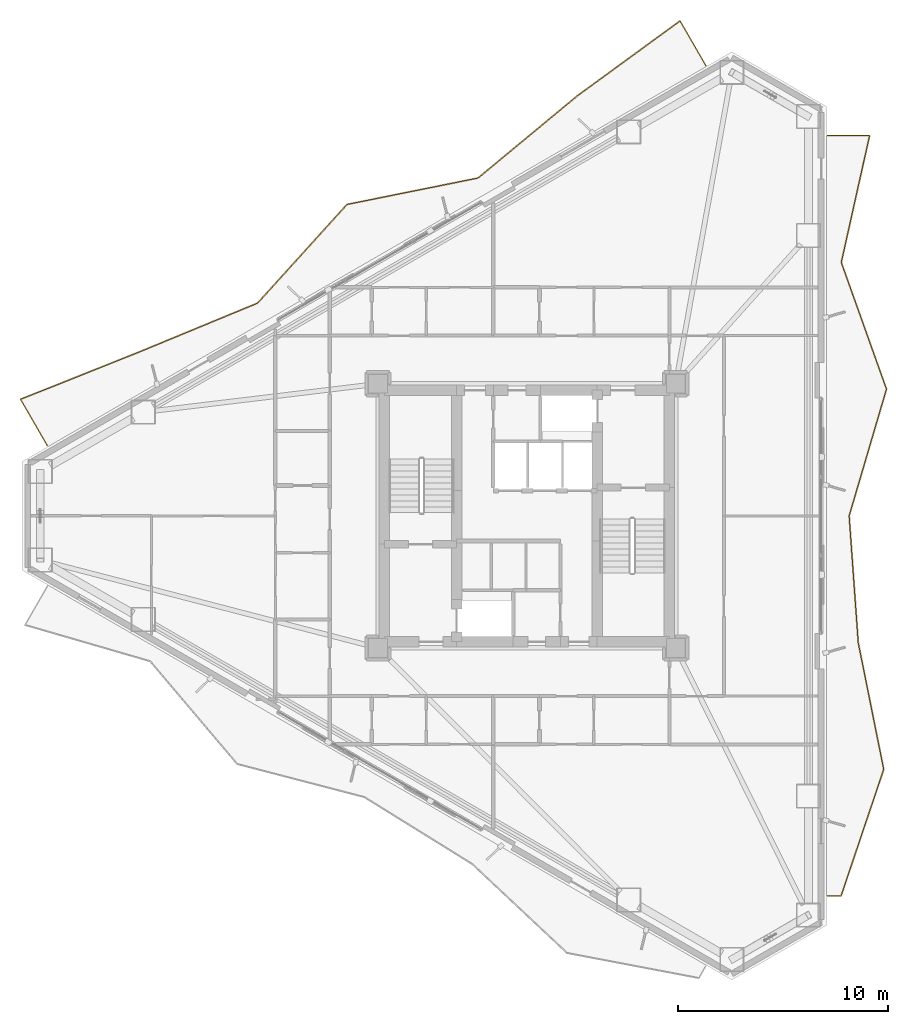
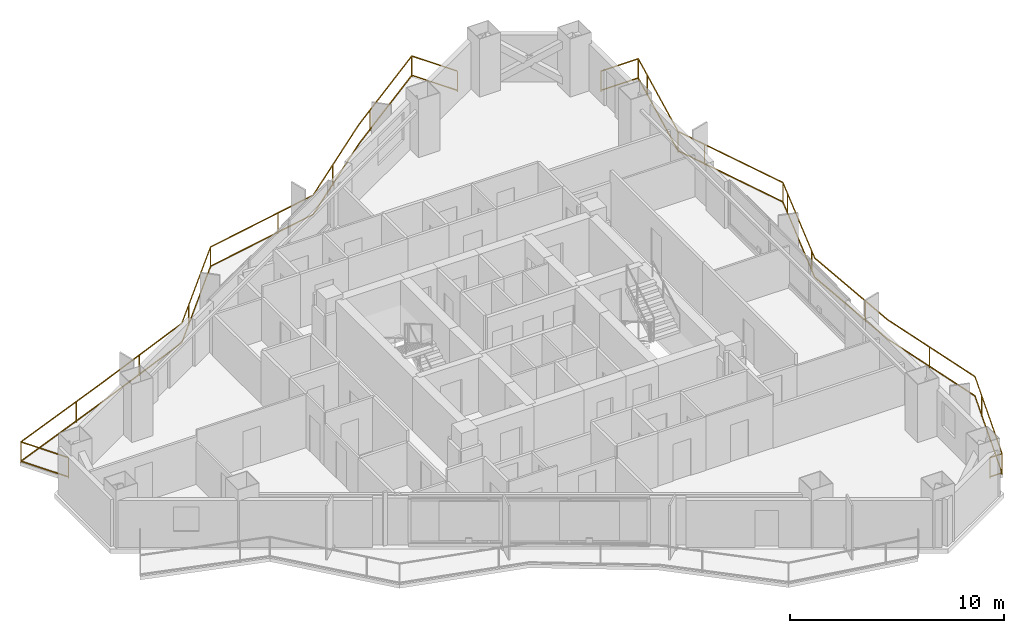
# One storey, part 23 of 23: 2 railings.
"""IFC4 building model written with IfcOpenShell, lengths in metres."""

from ifc_helpers import new_model, si_unit, direction, frame, origin, origin_2d, place, context, subcontext, project, spatial, rectangle, extrude, material, type_object, element, save


model = new_model("IFC4")

# Units and contexts
model_context = context("Model", 3, precision=1e-05, world=origin(), true_north=direction((0.0, 1.0)))
body_context = subcontext(model_context, "Body", "Model", "MODEL_VIEW")
ifc_project = project(units=[si_unit("LENGTHUNIT", "METRE"), si_unit("AREAUNIT", "SQUARE_METRE"), si_unit("VOLUMEUNIT", "CUBIC_METRE"), si_unit("PLANEANGLEUNIT", "RADIAN"), si_unit("MASSUNIT", "GRAM", prefix="KILO")], contexts=[model_context])

# Site, building, storey
site_placement = place(None, origin())
site = spatial("IfcSite", under=ifc_project, at=site_placement, CompositionType="ELEMENT")
building_placement = place(site_placement, origin())
building = spatial("IfcBuilding", under=site, at=building_placement, Name="Mersakhor Tower and Convention Hall", CompositionType="ELEMENT")
storey_placement = place(building_placement, frame((0.0, 0.0, 93.300048828125)))
storey = spatial("IfcBuildingStorey", under=building, at=storey_placement, Name="L25", CompositionType="ELEMENT", Elevation=93.300048828125)

# Railings
ifc_material = material(Name="Powder-coated galvanised steel and laminated glass balustrade", Category="steel")
railing_type = type_object("IfcRailingType", Name="RL-BAL-1200", PredefinedType="BALUSTRADE", material=ifc_material)
railing_1_placement = place(storey_placement, frame((37.541259765625, 48.2333984375, 0.0)))
element("IfcRailing", 1, at=railing_1_placement, inside=storey, type_object=railing_type, Name="L25 Sinusoidal Balcony Balustrade F1", PredefinedType="BALUSTRADE", context=body_context, shape_type="SweptSolid", body=[
    extrude(rectangle(XDim=0.048095703125, YDim=0.048095703125, at=origin_2d()), frame((0.0, 0.0, 1.17578125), z_axis=(-0.499974694581, 0.866040013382, 0.0), x_axis=(-0.866040013382, -0.499974694581, 0.0)), (0.0, 0.0, 1.0), 2.457763671875),
    extrude(rectangle(XDim=0.048095703125, YDim=0.048095703125, at=origin_2d()), frame((0.0, 0.0, 0.080078125), z_axis=(-0.499974694581, 0.866040013382, 0.0), x_axis=(-0.866040013382, -0.499974694581, 0.0)), (0.0, 0.0, 1.0), 2.457763671875),
    extrude(rectangle(XDim=0.048095703125, YDim=0.048095703125, at=origin_2d()), frame((-1.228759765625, 2.12841796875, 1.17578125), z_axis=(-0.807827114396, -0.589419505315, 0.0), x_axis=(0.589419505315, -0.807827114396, 0.0)), (0.0, 0.0, 1.0), 6.0810546875),
    extrude(rectangle(XDim=0.048095703125, YDim=0.048095703125, at=origin_2d()), frame((-1.228759765625, 2.12841796875, 0.080078125), z_axis=(-0.807827114396, -0.589419505315, 0.0), x_axis=(0.589419505315, -0.807827114396, 0.0)), (0.0, 0.0, 1.0), 6.0810546875),
    extrude(rectangle(XDim=0.048095703125, YDim=0.048095703125, at=origin_2d()), frame((-6.14111328125, -1.455810546875, 1.17578125), z_axis=(-0.770260121587, -0.637729837073, 0.0), x_axis=(0.637729837073, -0.770260121587, 0.0)), (0.0, 0.0, 1.0), 6.132568359375),
    extrude(rectangle(XDim=0.048095703125, YDim=0.048095703125, at=origin_2d()), frame((-6.14111328125, -1.455810546875, 0.080078125), z_axis=(-0.770260121587, -0.637729837073, 0.0), x_axis=(0.637729837073, -0.770260121587, 0.0)), (0.0, 0.0, 1.0), 6.132568359375),
    extrude(rectangle(XDim=0.048095703125, YDim=0.048095703125, at=origin_2d()), frame((-10.86474609375, -5.36669921875, 1.17578125), z_axis=(-0.980286680616, -0.197580423642, 0.0), x_axis=(0.197580423642, -0.980286680616, 0.0)), (0.0, 0.0, 1.0), 6.379638671875),
    extrude(rectangle(XDim=0.048095703125, YDim=0.048095703125, at=origin_2d()), frame((-10.86474609375, -5.36669921875, 0.080078125), z_axis=(-0.980286680616, -0.197580423642, 0.0), x_axis=(0.197580423642, -0.980286680616, 0.0)), (0.0, 0.0, 1.0), 6.379638671875),
    extrude(rectangle(XDim=0.048095703125, YDim=0.048095703125, at=origin_2d()), frame((-17.11865234375, -6.627197265625, 1.17578125), z_axis=(-0.671420480661, -0.741076607476, 0.0), x_axis=(0.741076607476, -0.671420480661, 0.0)), (0.0, 0.0, 1.0), 6.35107421875),
    extrude(rectangle(XDim=0.048095703125, YDim=0.048095703125, at=origin_2d()), frame((-17.11865234375, -6.627197265625, 0.080078125), z_axis=(-0.671420480661, -0.741076607476, 0.0), x_axis=(0.741076607476, -0.671420480661, 0.0)), (0.0, 0.0, 1.0), 6.35107421875),
    extrude(rectangle(XDim=0.048095703125, YDim=0.048095703125, at=origin_2d()), frame((-21.3828125, -11.333740234375, 1.17578125), z_axis=(-0.924249758591, -0.381788401795, 0.0), x_axis=(0.381788401795, -0.924249758591, 0.0)), (0.0, 0.0, 1.0), 6.09912109375),
    extrude(rectangle(XDim=0.048095703125, YDim=0.048095703125, at=origin_2d()), frame((-21.3828125, -11.333740234375, 0.080078125), z_axis=(-0.924249758591, -0.381788401795, 0.0), x_axis=(0.381788401795, -0.924249758591, 0.0)), (0.0, 0.0, 1.0), 6.09912109375),
    extrude(rectangle(XDim=0.048095703125, YDim=0.048095703125, at=origin_2d()), frame((-27.02001953125, -13.662353515625, 1.17578125), z_axis=(-0.928875755829, -0.3703914554, 0.0), x_axis=(0.3703914554, -0.928875755829, 0.0)), (0.0, 0.0, 1.0), 6.109619140625),
    extrude(rectangle(XDim=0.048095703125, YDim=0.048095703125, at=origin_2d()), frame((-27.02001953125, -13.662353515625, 0.080078125), z_axis=(-0.928875755829, -0.3703914554, 0.0), x_axis=(0.3703914554, -0.928875755829, 0.0)), (0.0, 0.0, 1.0), 6.109619140625),
    extrude(rectangle(XDim=0.048095703125, YDim=0.048095703125, at=origin_2d()), frame((-32.695068359375, -15.92529296875, 1.17578125), z_axis=(0.499981548585, -0.866036056452, 0.0), x_axis=(0.866036056452, 0.499981548585, 0.0)), (0.0, 0.0, 1.0), 2.5556640625),
    extrude(rectangle(XDim=0.048095703125, YDim=0.048095703125, at=origin_2d()), frame((-32.695068359375, -15.92529296875, 0.080078125), z_axis=(0.499981548585, -0.866036056452, 0.0), x_axis=(0.866036056452, 0.499981548585, 0.0)), (0.0, 0.0, 1.0), 2.5556640625),
    extrude(rectangle(XDim=0.0419921875, YDim=0.0419921875, at=origin_2d()), origin(), (0.0, 0.0, 1.0), 1.15185546875),
    extrude(rectangle(XDim=0.0419921875, YDim=0.0419921875, at=origin_2d()), frame((-1.228759765625, 2.12841796875, 0.0)), (0.0, 0.0, 1.0), 1.15185546875),
    extrude(rectangle(XDim=0.0419921875, YDim=0.0419921875, at=origin_2d()), frame((-5.1064453125, -0.70068359375, 0.0)), (0.0, 0.0, 1.0), 1.15185546875),
    extrude(rectangle(XDim=0.0419921875, YDim=0.0419921875, at=origin_2d()), frame((-8.851806640625, -3.699951171875, 0.0)), (0.0, 0.0, 1.0), 1.15185546875),
    extrude(rectangle(XDim=0.0419921875, YDim=0.0419921875, at=origin_2d()), frame((-13.00830078125, -5.798828125, 0.0)), (0.0, 0.0, 1.0), 1.15185546875),
    extrude(rectangle(XDim=0.0419921875, YDim=0.0419921875, at=origin_2d()), frame((-17.11865234375, -6.627197265625, 0.0)), (0.0, 0.0, 1.0), 1.15185546875),
    extrude(rectangle(XDim=0.0419921875, YDim=0.0419921875, at=origin_2d()), frame((-20.341552734375, -10.184326171875, 0.0)), (0.0, 0.0, 1.0), 1.15185546875),
    extrude(rectangle(XDim=0.0419921875, YDim=0.0419921875, at=origin_2d()), frame((-24.3857421875, -12.57421875, 0.0)), (0.0, 0.0, 1.0), 1.15185546875),
    extrude(rectangle(XDim=0.0419921875, YDim=0.0419921875, at=origin_2d()), frame((-28.8310546875, -14.384521484375, 0.0)), (0.0, 0.0, 1.0), 1.15185546875),
    extrude(rectangle(XDim=0.0419921875, YDim=0.0419921875, at=origin_2d()), frame((-32.695068359375, -15.92529296875, 0.0)), (0.0, 0.0, 1.0), 1.15185546875),
    extrude(rectangle(XDim=0.0419921875, YDim=0.0419921875, at=origin_2d()), frame((-31.417236328125, -18.138671875, 0.0)), (0.0, 0.0, 1.0), 1.15185546875),
])
railing_2_placement = place(storey_placement, frame((43.334716796875, 8.611328125, 0.0)))
element("IfcRailing", 2, at=railing_2_placement, inside=storey, type_object=railing_type, Name="L25 Sinusoidal Balcony Balustrade F2", PredefinedType="BALUSTRADE", context=body_context, shape_type="SweptSolid", body=[
    extrude(rectangle(XDim=0.048095703125, YDim=0.048095703125, at=origin_2d()), frame((0.0, 0.0, 1.17578125), z_axis=(1.0, 0.0, 0.0), x_axis=(0.0, 1.0, 0.0)), (0.0, 0.0, 1.0), 0.64990234375),
    extrude(rectangle(XDim=0.048095703125, YDim=0.048095703125, at=origin_2d()), frame((0.0, 0.0, 0.080078125), z_axis=(1.0, 0.0, 0.0), x_axis=(0.0, 1.0, 0.0)), (0.0, 0.0, 1.0), 0.64990234375),
    extrude(rectangle(XDim=0.048095703125, YDim=0.048095703125, at=origin_2d()), frame((0.64990234375, 0.0, 1.17578125), z_axis=(0.319497385915, 0.947587157149, 0.0), x_axis=(-0.947587157149, 0.319497385915, 0.0)), (0.0, 0.0, 1.0), 6.380615234375),
    extrude(rectangle(XDim=0.048095703125, YDim=0.048095703125, at=origin_2d()), frame((0.64990234375, 0.0, 0.080078125), z_axis=(0.319497385915, 0.947587157149, 0.0), x_axis=(-0.947587157149, 0.319497385915, 0.0)), (0.0, 0.0, 1.0), 6.380615234375),
    extrude(rectangle(XDim=0.048095703125, YDim=0.048095703125, at=origin_2d()), frame((2.6884765625, 6.046142578125, 1.17578125), z_axis=(-0.197174165325, 0.980368475895, 0.0), x_axis=(-0.980368475895, -0.197174165325, 0.0)), (0.0, 0.0, 1.0), 6.16748046875),
    extrude(rectangle(XDim=0.048095703125, YDim=0.048095703125, at=origin_2d()), frame((2.6884765625, 6.046142578125, 0.080078125), z_axis=(-0.197174165325, 0.980368475895, 0.0), x_axis=(-0.980368475895, -0.197174165325, 0.0)), (0.0, 0.0, 1.0), 6.16748046875),
    extrude(rectangle(XDim=0.048095703125, YDim=0.048095703125, at=origin_2d()), frame((1.472412109375, 12.092529296875, 1.17578125), z_axis=(-0.071570481054, 0.997435544906, 0.0), x_axis=(-0.997435544906, -0.071570481054, 0.0)), (0.0, 0.0, 1.0), 6.061767578125),
    extrude(rectangle(XDim=0.048095703125, YDim=0.048095703125, at=origin_2d()), frame((1.472412109375, 12.092529296875, 0.080078125), z_axis=(-0.071570481054, 0.997435544906, 0.0), x_axis=(-0.997435544906, -0.071570481054, 0.0)), (0.0, 0.0, 1.0), 6.061767578125),
    extrude(rectangle(XDim=0.048095703125, YDim=0.048095703125, at=origin_2d()), frame((1.03857421875, 18.138671875, 1.17578125), z_axis=(0.282600382866, 0.959237730494, 0.0), x_axis=(-0.959237730494, 0.282600382866, 0.0)), (0.0, 0.0, 1.0), 6.302978515625),
    extrude(rectangle(XDim=0.048095703125, YDim=0.048095703125, at=origin_2d()), frame((1.03857421875, 18.138671875, 0.080078125), z_axis=(0.282600382866, 0.959237730494, 0.0), x_axis=(-0.959237730494, 0.282600382866, 0.0)), (0.0, 0.0, 1.0), 6.302978515625),
    extrude(rectangle(XDim=0.048095703125, YDim=0.048095703125, at=origin_2d()), frame((2.81982421875, 24.184814453125, 1.17578125), z_axis=(-0.335965354091, 0.941874344512, 0.0), x_axis=(-0.941874344512, -0.335965354091, 0.0)), (0.0, 0.0, 1.0), 6.41943359375),
    extrude(rectangle(XDim=0.048095703125, YDim=0.048095703125, at=origin_2d()), frame((2.81982421875, 24.184814453125, 0.080078125), z_axis=(-0.335965354091, 0.941874344512, 0.0), x_axis=(-0.941874344512, -0.335965354091, 0.0)), (0.0, 0.0, 1.0), 6.41943359375),
    extrude(rectangle(XDim=0.048095703125, YDim=0.048095703125, at=origin_2d()), frame((0.6630859375, 30.231201171875, 1.17578125), z_axis=(0.217931796021, 0.97596400153, 0.0), x_axis=(-0.97596400153, 0.217931796021, 0.0)), (0.0, 0.0, 1.0), 6.195068359375),
    extrude(rectangle(XDim=0.048095703125, YDim=0.048095703125, at=origin_2d()), frame((0.6630859375, 30.231201171875, 0.080078125), z_axis=(0.217931796021, 0.97596400153, 0.0), x_axis=(-0.97596400153, 0.217931796021, 0.0)), (0.0, 0.0, 1.0), 6.195068359375),
    extrude(rectangle(XDim=0.048095703125, YDim=0.048095703125, at=origin_2d()), frame((2.01318359375, 36.27734375, 1.17578125), z_axis=(-1.0, 0.0, 0.0), x_axis=(0.0, -1.0, 0.0)), (0.0, 0.0, 1.0), 2.01318359375),
    extrude(rectangle(XDim=0.048095703125, YDim=0.048095703125, at=origin_2d()), frame((2.01318359375, 36.27734375, 0.080078125), z_axis=(-1.0, 0.0, 0.0), x_axis=(0.0, -1.0, 0.0)), (0.0, 0.0, 1.0), 2.01318359375),
    extrude(rectangle(XDim=0.0419921875, YDim=0.0419921875, at=origin_2d()), origin(), (0.0, 0.0, 1.0), 1.15185546875),
    extrude(rectangle(XDim=0.0419921875, YDim=0.0419921875, at=origin_2d()), frame((0.64990234375, 0.0, 0.0)), (0.0, 0.0, 1.0), 1.15185546875),
    extrude(rectangle(XDim=0.0419921875, YDim=0.0419921875, at=origin_2d()), frame((2.18359375, 4.54833984375, 0.0)), (0.0, 0.0, 1.0), 1.15185546875),
    extrude(rectangle(XDim=0.0419921875, YDim=0.0419921875, at=origin_2d()), frame((2.0537109375, 9.202392578125, 0.0)), (0.0, 0.0, 1.0), 1.15185546875),
    extrude(rectangle(XDim=0.0419921875, YDim=0.0419921875, at=origin_2d()), frame((1.33984375, 13.939697265625, 0.0)), (0.0, 0.0, 1.0), 1.15185546875),
    extrude(rectangle(XDim=0.0419921875, YDim=0.0419921875, at=origin_2d()), frame((1.205322265625, 18.704833984375, 0.0)), (0.0, 0.0, 1.0), 1.15185546875),
    extrude(rectangle(XDim=0.0419921875, YDim=0.0419921875, at=origin_2d()), frame((2.561767578125, 23.309326171875, 0.0)), (0.0, 0.0, 1.0), 1.15185546875),
    extrude(rectangle(XDim=0.0419921875, YDim=0.0419921875, at=origin_2d()), frame((2.81982421875, 24.184814453125, 0.0)), (0.0, 0.0, 1.0), 1.15185546875),
    extrude(rectangle(XDim=0.0419921875, YDim=0.0419921875, at=origin_2d()), frame((1.207275390625, 28.705810546875, 0.0)), (0.0, 0.0, 1.0), 1.15185546875),
    extrude(rectangle(XDim=0.0419921875, YDim=0.0419921875, at=origin_2d()), frame((0.6630859375, 30.231201171875, 0.0)), (0.0, 0.0, 1.0), 1.15185546875),
    extrude(rectangle(XDim=0.0419921875, YDim=0.0419921875, at=origin_2d()), frame((1.709228515625, 34.915771484375, 0.0)), (0.0, 0.0, 1.0), 1.15185546875),
    extrude(rectangle(XDim=0.0419921875, YDim=0.0419921875, at=origin_2d()), frame((2.01318359375, 36.27734375, 0.0)), (0.0, 0.0, 1.0), 1.15185546875),
    extrude(rectangle(XDim=0.0419921875, YDim=0.0419921875, at=origin_2d()), frame((0.0, 36.27734375, 0.0)), (0.0, 0.0, 1.0), 1.15185546875),
])

save(model, "model.ifc")
